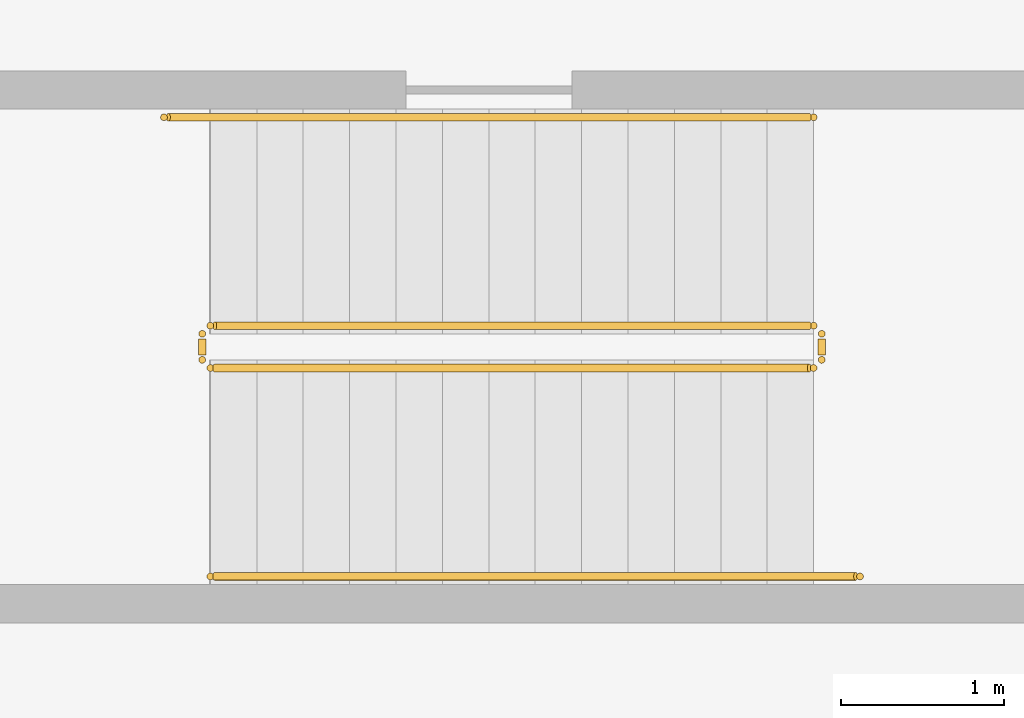
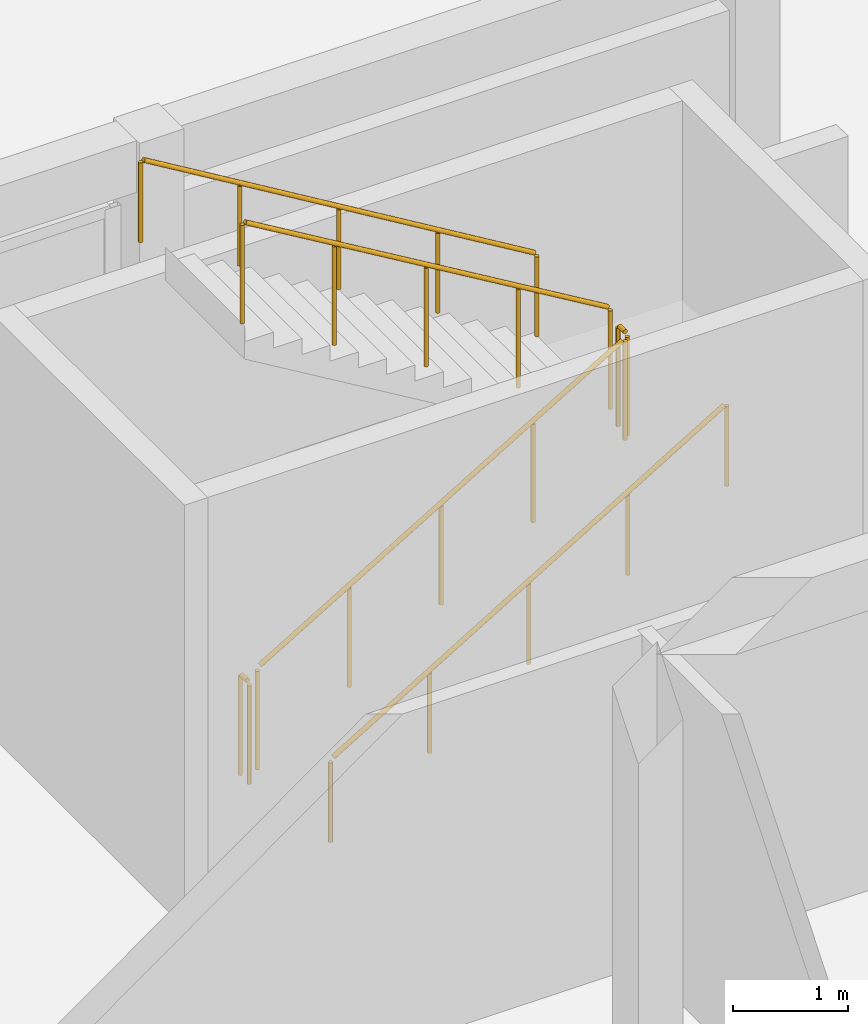
# One storey, part 127 of 132: 6 railings.
"""IFC4 building model written with IfcOpenShell, lengths in metres."""

import ifcopenshell
import ifcopenshell.guid

model = None  # the IFC model being written
_history = None  # IfcOwnerHistory: only IFC2X3 demands one
_inside = {}  # id of a spatial element -> (the spatial element, [elements in it])
_under = {}  # id of a project, library or spatial element -> (it, [spatial elements below it])
_declared = {}  # id of a project -> (the project, [libraries it declares])
_typed = {}  # id of a type object -> (the type object, [elements of that type])
_made_of = {}  # id of a material, layer set ... -> (it, [elements and type objects made of it])


def new_model(schema):
    """Start an empty IFC model of exactly this schema.

    Asked for "IFC4X3", IfcOpenShell would pick the latest addendum, in which some entities
    have other attributes; the version numbers below select the first issue.
    IFC2X3 requires an IfcOwnerHistory on every rooted entity: one is made here for all.
    """
    global model, _history
    if schema == "IFC4X3":
        model = ifcopenshell.file(schema_version=(4, 3, 0, 0))
    else:
        model = ifcopenshell.file(schema=schema)
    _inside.clear()
    _under.clear()
    _declared.clear()
    _typed.clear()
    _made_of.clear()
    _history = None
    if model.schema == "IFC2X3":
        org = make("IfcOrganization", Name="unknown")
        user = make(
            "IfcPersonAndOrganization",
            ThePerson=make("IfcPerson", FamilyName="unknown"),
            TheOrganization=org,
        )
        app = make(
            "IfcApplication",
            ApplicationDeveloper=org,
            Version="unknown",
            ApplicationFullName="unknown",
            ApplicationIdentifier="unknown",
        )
        _history = make(
            "IfcOwnerHistory",
            OwningUser=user,
            OwningApplication=app,
            ChangeAction="ADDED",
            CreationDate=0,
        )
    return model


def make(cls, **values):
    """One entity of the class cls with the attributes given. An attribute that is None is left unset."""
    return model.create_entity(
        cls, **{name: value for name, value in values.items() if value is not None}
    )


def rooted(cls, **values):
    """An entity with a GlobalId (a new one), such as an element, a storey or a relation."""
    return make(cls, GlobalId=ifcopenshell.guid.new(), OwnerHistory=_history, **values)


def si_unit(unit_type, name, prefix=None):
    """IfcSIUnit, for example si_unit("LENGTHUNIT", "METRE", prefix="MILLI")."""
    return make("IfcSIUnit", UnitType=unit_type, Prefix=prefix, Name=name)


def assignment(units):
    """IfcUnitAssignment: the units of a project."""
    return None if units is None else make("IfcUnitAssignment", Units=units)


def point(xyz):
    """IfcCartesianPoint."""
    return None if xyz is None else make("IfcCartesianPoint", Coordinates=xyz)


def direction(xyz):
    """IfcDirection."""
    return None if xyz is None else make("IfcDirection", DirectionRatios=xyz)


def frame(location, z_axis=None, x_axis=None):
    """IfcAxis2Placement3D, a coordinate frame: its origin and axes. An axis left out is left unset."""
    return make(
        "IfcAxis2Placement3D",
        Location=point(location),
        Axis=direction(z_axis),
        RefDirection=direction(x_axis),
    )


def frame_2d(location, x_axis=None):
    """IfcAxis2Placement2D, a coordinate frame in the plane: its origin and x axis."""
    return make(
        "IfcAxis2Placement2D", Location=point(location), RefDirection=direction(x_axis)
    )


def origin():
    """The frame at (0, 0, 0) with its axes left unset."""
    return frame((0.0, 0.0, 0.0))


def origin_2d():
    """The frame at (0, 0) in the plane with its x axis left unset."""
    return frame_2d((0.0, 0.0))


def place(relative_to, where):
    """IfcLocalPlacement: puts the frame where relative to a parent placement (None: the world)."""
    return make(
        "IfcLocalPlacement", PlacementRelTo=relative_to, RelativePlacement=where
    )


def context(
    kind, dimensions, precision=None, world=None, true_north=None, identifier=None
):
    """IfcGeometricRepresentationContext, for example the 3D "Model" context."""
    return make(
        "IfcGeometricRepresentationContext",
        ContextIdentifier=identifier,
        ContextType=kind,
        CoordinateSpaceDimension=dimensions,
        Precision=precision,
        WorldCoordinateSystem=world,
        TrueNorth=true_north,
    )


def subcontext(parent, identifier, kind, view, scale=None):
    """IfcGeometricRepresentationSubContext, for example "Body" below "Model"."""
    return make(
        "IfcGeometricRepresentationSubContext",
        ContextIdentifier=identifier,
        ContextType=kind,
        ParentContext=parent,
        TargetScale=scale,
        TargetView=view,
    )


def project(units=None, contexts=None):
    """IfcProject with its units and contexts."""
    return rooted(
        "IfcProject",
        Name="project",
        RepresentationContexts=contexts,
        UnitsInContext=assignment(units),
    )


def spatial(cls, under=None, at=None, **own):
    """A site, building, storey or space (cls), placed at a placement, below another one or the project."""
    s = rooted(cls, ObjectPlacement=at, **own)
    if under is not None:
        _under.setdefault(under.id(), (under, []))[1].append(s)
    return s


def profile(cls, at=None, kind="AREA", **sizes):
    """A parametric profile (cls). Its sizes go by their IFC names, for example OverallWidth=200.0."""
    return make(cls, ProfileType=kind, Position=at, **sizes)


def circle(**sizes):
    """IfcCircleProfileDef."""
    return profile("IfcCircleProfileDef", **sizes)


def extrude(swept, where, along, depth):
    """IfcExtrudedAreaSolid: the profile swept, set in the frame where, extruded along a direction by depth."""
    return make(
        "IfcExtrudedAreaSolid",
        SweptArea=swept,
        Position=where,
        ExtrudedDirection=direction(along),
        Depth=depth,
    )


def shape(context_of_items, identifier, shape_type, items):
    """IfcShapeRepresentation: the items that make up one representation, for example the "Body"."""
    return make(
        "IfcShapeRepresentation",
        ContextOfItems=context_of_items,
        RepresentationIdentifier=identifier,
        RepresentationType=shape_type,
        Items=items,
    )


def material(Name=None, Category=None):
    """IfcMaterial."""
    return make("IfcMaterial", Name=Name, Category=Category)


def made_of(thing, what):
    """Note that an element or type object is made of a material, layer set ...; save() writes the relation."""
    if what is not None:
        _made_of.setdefault(what.id(), (what, []))[1].append(thing)
    return thing


def type_object(cls, material=None, **own):
    """A type object (cls), such as IfcWallType, which elements share."""
    return made_of(rooted(cls, **own), material)


def element(
    cls,
    number,
    at=None,
    inside=None,
    cuts=None,
    type_object=None,
    material=None,
    context=None,
    identifier="Body",
    shape_type=None,
    held_by="IfcProductDefinitionShape",
    body=None,
    shapes=None,
    **own,
):
    """One element of the class cls, such as IfcWall. Its Tag is "e" and its number.

    at: its placement. inside: the storey or other place that contains it. cuts: it is an
    opening in that element (IfcRelVoidsElement). A single representation is given by context,
    identifier, shape_type and body (its items); several are given by shapes. held_by: the class
    of the entity that holds the representations. save() writes the other relations.
    """
    e = rooted(cls, Tag="e%d" % number, ObjectPlacement=at, **own)
    if body is not None:
        shapes = [shape(context, identifier, shape_type, body)]
    if shapes is not None:
        e.Representation = make(held_by, Representations=shapes)
    if inside is not None:
        _inside.setdefault(inside.id(), (inside, []))[1].append(e)
    if cuts is not None:
        rooted(
            "IfcRelVoidsElement", RelatingBuildingElement=cuts, RelatedOpeningElement=e
        )
    if type_object is not None:
        _typed.setdefault(type_object.id(), (type_object, []))[1].append(e)
    return made_of(e, material)


def aggregate(whole, parts):
    """IfcRelAggregates: a whole, such as a stair, and the parts it consists of."""
    return rooted("IfcRelAggregates", RelatingObject=whole, RelatedObjects=parts)


def save(model, path):
    """Write the relations noted so far, then the file.

    IfcRelAggregates (storeys below a building ...), IfcRelContainedInSpatialStructure (elements
    in a storey), IfcRelDefinesByType, IfcRelAssociatesMaterial and IfcRelDeclares: one each for
    every whole, place, type object, material and project.
    """
    for whole, parts in _under.values():
        aggregate(whole, parts)
    for where, things in _inside.values():
        rooted(
            "IfcRelContainedInSpatialStructure",
            RelatedElements=things,
            RelatingStructure=where,
        )
    for kind, things in _typed.values():
        rooted("IfcRelDefinesByType", RelatedObjects=things, RelatingType=kind)
    for what, things in _made_of.values():
        rooted("IfcRelAssociatesMaterial", RelatedObjects=things, RelatingMaterial=what)
    for by, libraries in _declared.values():
        rooted("IfcRelDeclares", RelatingContext=by, RelatedDefinitions=libraries)
    model.write(path)


model = new_model("IFC4")

# Units and contexts
model_context = context("Model", 3, precision=1e-05, world=origin(), true_north=direction((0.0, 1.0)))
body_context = subcontext(model_context, "Body", "Model", "MODEL_VIEW")
ifc_project = project(units=[si_unit("LENGTHUNIT", "METRE"), si_unit("AREAUNIT", "SQUARE_METRE"), si_unit("VOLUMEUNIT", "CUBIC_METRE"), si_unit("PLANEANGLEUNIT", "RADIAN"), si_unit("MASSUNIT", "GRAM", prefix="KILO")], contexts=[model_context])

# Site, building, storey
site_placement = place(None, origin())
site = spatial("IfcSite", under=ifc_project, at=site_placement, CompositionType="ELEMENT")
building_placement = place(site_placement, origin())
building = spatial("IfcBuilding", under=site, at=building_placement, Name="Tanwirah Colonnade Gardens", CompositionType="ELEMENT")
storey_placement = place(building_placement, origin())
storey = spatial("IfcBuildingStorey", under=building, at=storey_placement, Name="L00", CompositionType="ELEMENT", Elevation=0.0)

# Railings
ifc_material_1 = material(Name="Powder-coated galvanized steel", Category="steel")
railing_type_1 = type_object("IfcRailingType", Name="GRD-ST110", PredefinedType="GUARDRAIL", material=ifc_material_1)
railing_1_placement = place(storey_placement, frame((101.0, 105.780029296875, 0.169921875)))
element("IfcRailing", 1, at=railing_1_placement, inside=storey, type_object=railing_type_1, Name="L00 ST-N2 stair guard 1", PredefinedType="GUARDRAIL", context=body_context, shape_type="SweptSolid", body=[
    extrude(circle(Radius=0.02392578125, at=origin_2d()), frame((0.02685546875, 0.0, 1.092041015625), z_axis=(0.858828240829, 0.0, 0.512263655508), x_axis=(0.0, 1.0, 0.0)), (0.0, 0.0, 1.0), 4.25146484375),
    extrude(circle(Radius=0.02099609375, at=origin_2d()), origin(), (0.0, 0.0, 1.0), 1.049072265625),
    extrude(circle(Radius=0.02099609375, at=origin_2d()), frame((0.92626953125, 0.0, 0.552490234375)), (0.0, 0.0, 1.0), 1.049072265625),
    extrude(circle(Radius=0.02099609375, at=origin_2d()), frame((1.8525390625, 0.0, 1.10498046875)), (0.0, 0.0, 1.0), 1.049072265625),
    extrude(circle(Radius=0.02099609375, at=origin_2d()), frame((2.77880859375, 0.0, 1.657470703125)), (0.0, 0.0, 1.0), 1.049072265625),
    extrude(circle(Radius=0.02099609375, at=origin_2d()), frame((3.705078125, 0.0, 2.2099609375)), (0.0, 0.0, 1.0), 1.049072265625),
])
railing_2_placement = place(storey_placement, frame((104.7548828125, 105.830078125, 2.3798828125)))
element("IfcRailing", 2, at=railing_2_placement, inside=storey, type_object=railing_type_1, Name="L00 ST-N2 stair guard 2", PredefinedType="GUARDRAIL", context=body_context, shape_type="SweptSolid", body=[
    extrude(circle(Radius=0.02392578125, at=origin_2d()), frame((0.0, 0.03125, 1.076171875), z_axis=(0.0, 1.0, 0.0), x_axis=(-1.0, 0.0, 0.0)), (0.0, 0.0, 1.0), 0.097412109375),
    extrude(circle(Radius=0.02099609375, at=origin_2d()), origin(), (0.0, 0.0, 1.0), 1.049072265625),
    extrude(circle(Radius=0.02099609375, at=origin_2d()), frame((0.0, 0.159912109375, 0.0)), (0.0, 0.0, 1.0), 1.049072265625),
])
railing_3_placement = place(storey_placement, frame((104.705078125, 106.0400390625, 2.550048828125)))
element("IfcRailing", 3, at=railing_3_placement, inside=storey, type_object=railing_type_1, Name="L00 ST-N2 stair guard 3", PredefinedType="GUARDRAIL", context=body_context, shape_type="SweptSolid", body=[
    extrude(circle(Radius=0.02392578125, at=origin_2d()), frame((-0.02685546875, 0.0, 1.092041015625), z_axis=(-0.858828240829, 0.0, 0.512263655508), x_axis=(0.0, -1.0, 0.0)), (0.0, 0.0, 1.0), 4.25146484375),
    extrude(circle(Radius=0.02099609375, at=origin_2d()), origin(), (0.0, 0.0, 1.0), 1.049072265625),
    extrude(circle(Radius=0.02099609375, at=origin_2d()), frame((-0.92626953125, 0.0, 0.552490234375)), (0.0, 0.0, 1.0), 1.049072265625),
    extrude(circle(Radius=0.02099609375, at=origin_2d()), frame((-1.8525390625, 0.0, 1.10498046875)), (0.0, 0.0, 1.0), 1.049072265625),
    extrude(circle(Radius=0.02099609375, at=origin_2d()), frame((-2.77880859375, 0.0, 1.657470703125)), (0.0, 0.0, 1.0), 1.049072265625),
    extrude(circle(Radius=0.02099609375, at=origin_2d()), frame((-3.705078125, 0.0, 2.2099609375)), (0.0, 0.0, 1.0), 1.049072265625),
])
railing_4_placement = place(storey_placement, frame((100.949951171875, 105.830078125, 0.0)))
element("IfcRailing", 4, at=railing_4_placement, inside=storey, type_object=railing_type_1, Name="L00 ST-N2 stair guard 4", PredefinedType="GUARDRAIL", context=body_context, shape_type="SweptSolid", body=[
    extrude(circle(Radius=0.02392578125, at=origin_2d()), frame((0.0, 0.03125, 1.076171875), z_axis=(0.0, 1.0, 0.0), x_axis=(-1.0, 0.0, 0.0)), (0.0, 0.0, 1.0), 0.097412109375),
    extrude(circle(Radius=0.02099609375, at=origin_2d()), origin(), (0.0, 0.0, 1.0), 1.049072265625),
    extrude(circle(Radius=0.02099609375, at=origin_2d()), frame((0.0, 0.159912109375, 0.0)), (0.0, 0.0, 1.0), 1.049072265625),
])
ifc_material_2 = material(Name="Brushed bronze stainless steel", Category="steel")
railing_type_2 = type_object("IfcRailingType", Name="HR-ST090", PredefinedType="HANDRAIL", material=ifc_material_2)
railing_5_placement = place(storey_placement, frame((101.0, 104.5, 0.169921875)))
element("IfcRailing", 5, at=railing_5_placement, inside=storey, type_object=railing_type_2, Name="L00 ST-N2 stair handrail 1", PredefinedType="HANDRAIL", context=body_context, shape_type="SweptSolid", body=[
    extrude(circle(Radius=0.02392578125, at=origin_2d()), frame((0.02685546875, 0.0, 0.891845703125), z_axis=(0.857094710663, 0.0, 0.515158865743), x_axis=(0.0, 1.0, 0.0)), (0.0, 0.0, 1.0), 4.5927734375),
    extrude(circle(Radius=0.02099609375, at=origin_2d()), origin(), (0.0, 0.0, 1.0), 0.848876953125),
    extrude(circle(Radius=0.02099609375, at=origin_2d()), frame((0.99755859375, 0.0, 0.599609375)), (0.0, 0.0, 1.0), 0.848876953125),
    extrude(circle(Radius=0.02099609375, at=origin_2d()), frame((1.9951171875, 0.0, 1.19921875)), (0.0, 0.0, 1.0), 0.848876953125),
    extrude(circle(Radius=0.02099609375, at=origin_2d()), frame((2.992431640625, 0.0, 1.798583984375)), (0.0, 0.0, 1.0), 0.848876953125),
    extrude(circle(Radius=0.02099609375, at=origin_2d()), frame((3.989990234375, 0.0, 2.398193359375)), (0.0, 0.0, 1.0), 0.848876953125),
])
railing_6_placement = place(storey_placement, frame((104.705078125, 107.320068359375, 2.550048828125)))
element("IfcRailing", 6, at=railing_6_placement, inside=storey, type_object=railing_type_2, Name="L00 ST-N2 stair handrail 2", PredefinedType="HANDRAIL", context=body_context, shape_type="SweptSolid", body=[
    extrude(circle(Radius=0.02392578125, at=origin_2d()), frame((-0.02685546875, 0.0, 0.891845703125), z_axis=(-0.857117866608, 0.0, 0.515120338116), x_axis=(0.0, -1.0, 0.0)), (0.0, 0.0, 1.0), 4.592529296875),
    extrude(circle(Radius=0.02099609375, at=origin_2d()), origin(), (0.0, 0.0, 1.0), 0.848876953125),
    extrude(circle(Radius=0.02099609375, at=origin_2d()), frame((-0.99755859375, 0.0, 0.599609375)), (0.0, 0.0, 1.0), 0.848876953125),
    extrude(circle(Radius=0.02099609375, at=origin_2d()), frame((-1.9951171875, 0.0, 1.198974609375)), (0.0, 0.0, 1.0), 0.848876953125),
    extrude(circle(Radius=0.02099609375, at=origin_2d()), frame((-2.992431640625, 0.0, 1.79833984375)), (0.0, 0.0, 1.0), 0.848876953125),
    extrude(circle(Radius=0.02099609375, at=origin_2d()), frame((-3.989990234375, 0.0, 2.39794921875)), (0.0, 0.0, 1.0), 0.848876953125),
])

save(model, "model.ifc")
